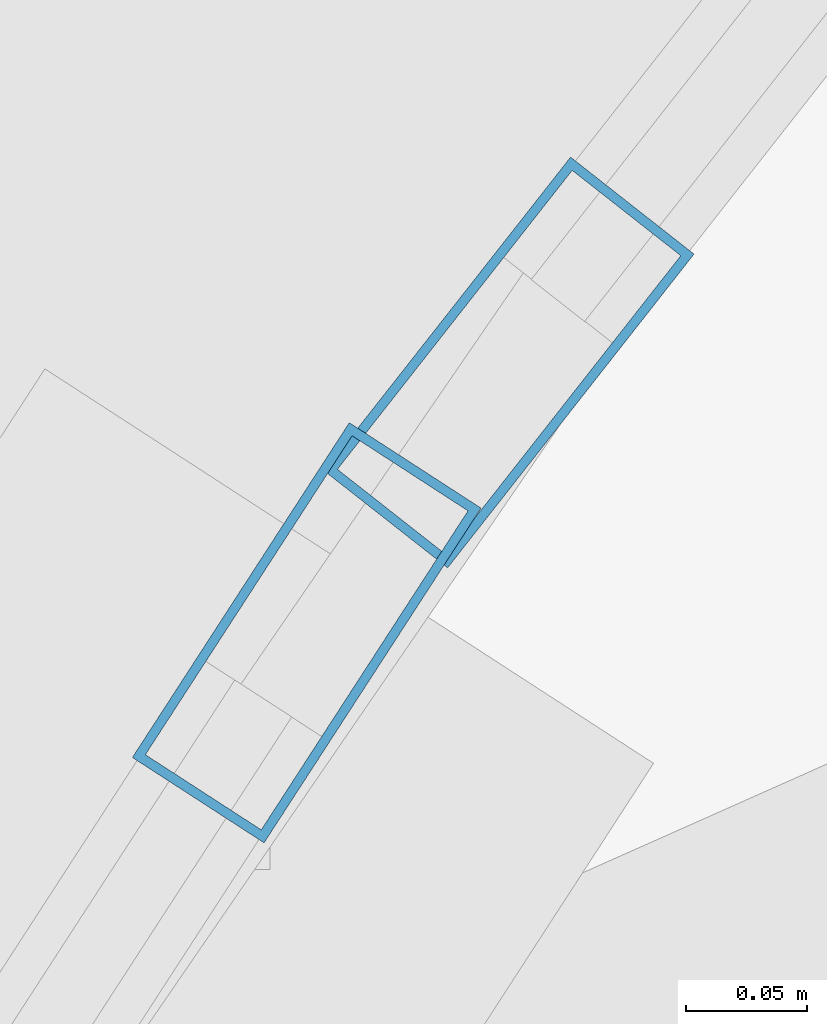
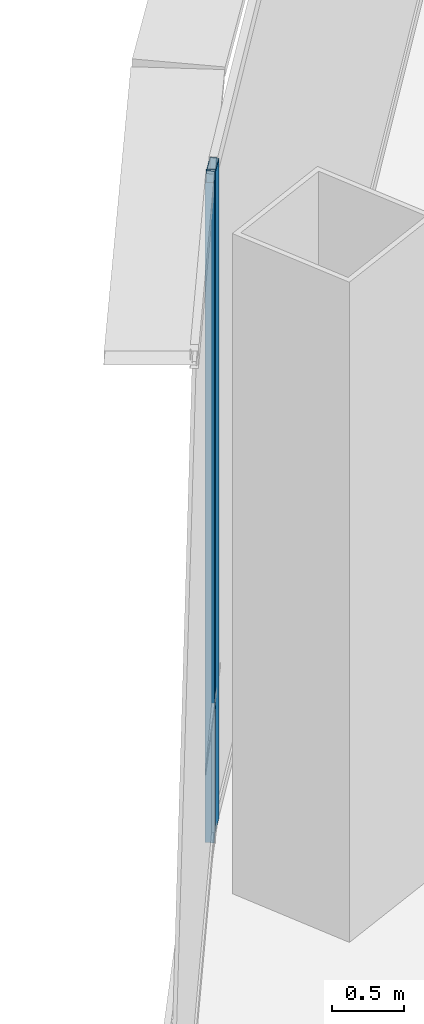
# One storey, part 17 of 36: 2 members, 2 elements without a shape of their own.
"""IFC4 building model written with IfcOpenShell, lengths in metres."""

from ifc_helpers import new_model, si_unit, direction, frame, origin, origin_2d, place, context, subcontext, project, spatial, hollow_rectangle, extrude, source, transform, mapped, material, layer, layer_set, material_profile, profile_set, type_object, element, aggregate, save


model = new_model("IFC4")

# Units and contexts
model_context = context("Model", 3, precision=1e-05, world=origin(), true_north=direction((0.0, 1.0)))
body_context = subcontext(model_context, "Body", "Model", "MODEL_VIEW")
ifc_project = project(units=[si_unit("LENGTHUNIT", "METRE"), si_unit("AREAUNIT", "SQUARE_METRE"), si_unit("VOLUMEUNIT", "CUBIC_METRE"), si_unit("PLANEANGLEUNIT", "RADIAN"), si_unit("MASSUNIT", "GRAM", prefix="KILO"), si_unit("THERMODYNAMICTEMPERATUREUNIT", "KELVIN"), si_unit("POWERUNIT", "WATT")], contexts=[model_context])

# Site, building, storey
site_placement = place(None, origin())
site = spatial("IfcSite", under=ifc_project, at=site_placement, CompositionType="ELEMENT")
building_placement = place(site_placement, origin())
building = spatial("IfcBuilding", under=site, at=building_placement, Name="Yunzhuo Pagoda Commons", CompositionType="ELEMENT")
storey_placement = place(building_placement, frame((0.0, 0.0, 119.179931640625)))
storey = spatial("IfcBuildingStorey", under=building, at=storey_placement, Name="L30", CompositionType="ELEMENT", Elevation=119.179931640625)

# Curtain wall, member
ifc_material = material(Name="Anodized aluminium 6063-T6", Category="aluminium")
ifc_layer = layer(ifc_material, 0.1650390625)
ifc_layer_set = layer_set([ifc_layer], Name="Anodized aluminium 6063-T6")
curtain_wall_type = type_object("IfcCurtainWallType", Name="CW-LOW Low-Zone Ribbon Curtain Wall", PredefinedType="NOTDEFINED", material=ifc_layer_set)
curtain_wall_1_placement = place(storey_placement, origin())
curtain_wall_1 = element("IfcCurtainWall", 1, at=curtain_wall_1_placement, inside=storey, type_object=curtain_wall_type, Name="L30 curtain wall CW-L30-F3B2", PredefinedType="NOTDEFINED")
ifc_material_profile = material_profile(ifc_material, hollow_rectangle(XDim=0.06494140625, YDim=0.1650390625, WallThickness=0.00390625, at=origin_2d()), Name="Anodized aluminium 6063-T6")
ifc_profile_set = profile_set([ifc_material_profile], Name="Anodized aluminium 6063-T6")
member_type = type_object("IfcMemberType", Name="CW-LOW-M Mullion RHS 165x65x4", PredefinedType="MULLION", material=ifc_profile_set)
shared_shape = source(origin(), body_context, "Body", "SweptSolid", [
    extrude(hollow_rectangle(XDim=0.06494140625, YDim=0.1650390625, WallThickness=0.00390625, at=origin_2d()), origin(), (0.0, 0.0, 1.0), 5.570068359375),
])
member_1_placement = place(storey_placement, frame((31.614013671875, 70.43701171875, 0.0), z_axis=(0.0, 0.0, 1.0), x_axis=(0.839174657882, -0.543862017031, 0.0)))
member_1 = element("IfcMember", 2, at=member_1_placement, type_object=member_type, Name="CW mullion 1", PredefinedType="MULLION", context=body_context, shape_type="MappedRepresentation", body=[
    mapped(shared_shape, transform((0.0, 0.0, 0.0), scale=1.0)),
])
aggregate(curtain_wall_1, [member_1])

curtain_wall_2_placement = place(storey_placement, origin())
curtain_wall_2 = element("IfcCurtainWall", 3, at=curtain_wall_2_placement, inside=storey, type_object=curtain_wall_type, Name="L30 curtain wall CW-L30-F3B1", PredefinedType="NOTDEFINED")
member_2_placement = place(storey_placement, frame((31.69775390625, 70.548828125, 0.0), z_axis=(0.0, 0.0, 1.0), x_axis=(0.786482396484, -0.617612694186, 0.0)))
member_2 = element("IfcMember", 4, at=member_2_placement, type_object=member_type, Name="CW mullion 2", PredefinedType="MULLION", context=body_context, shape_type="MappedRepresentation", body=[
    mapped(shared_shape, transform((0.0, 0.0, 0.0), scale=1.0)),
])
aggregate(curtain_wall_2, [member_2])

save(model, "model.ifc")
